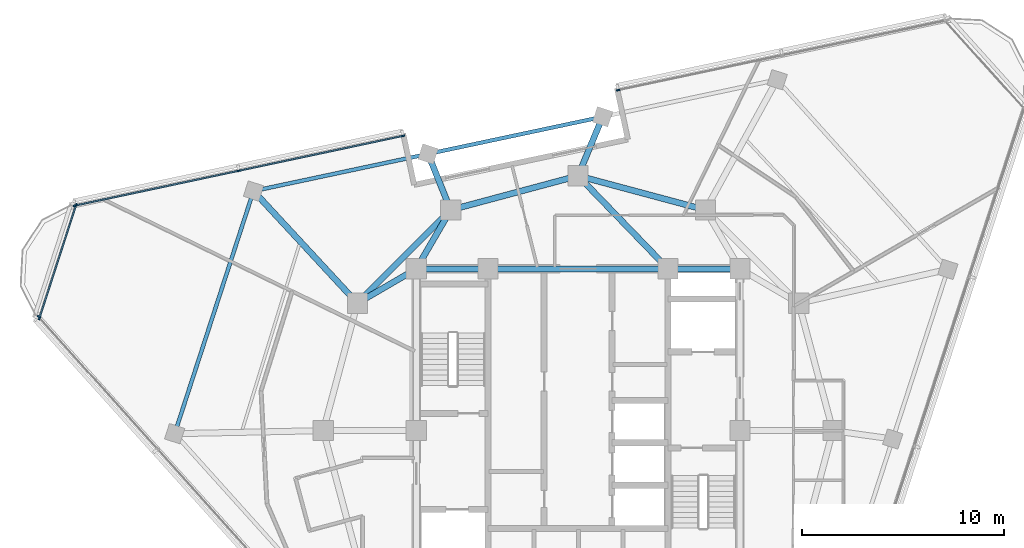
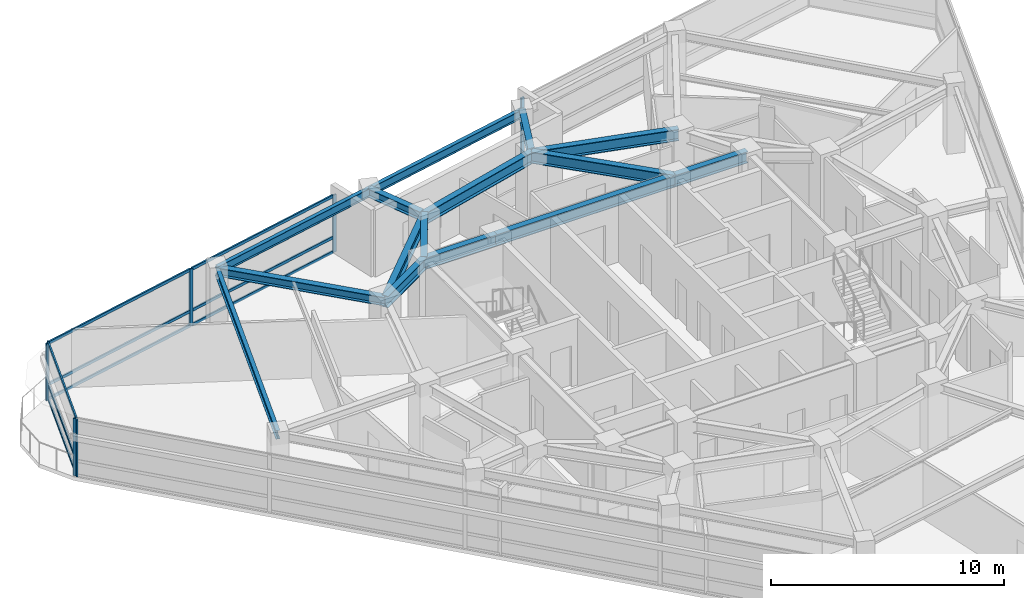
# One storey, part 5 of 15: 16 members, 15 beams, 4 elements without a shape of their own.
"""IFC4 building model written with IfcOpenShell, lengths in metres."""

from ifc_helpers import new_model, si_unit, direction, frame, origin, origin_2d, place, context, subcontext, project, spatial, rectangle, i_section, extrude, material, layer, layer_set, material_profile, profile_set, type_object, element, aggregate, save


model = new_model("IFC4")

# Units and contexts
model_context = context("Model", 3, precision=1e-05, world=origin(), true_north=direction((0.0, 1.0)))
body_context = subcontext(model_context, "Body", "Model", "MODEL_VIEW")
ifc_project = project(units=[si_unit("LENGTHUNIT", "METRE"), si_unit("AREAUNIT", "SQUARE_METRE"), si_unit("VOLUMEUNIT", "CUBIC_METRE"), si_unit("PLANEANGLEUNIT", "RADIAN"), si_unit("MASSUNIT", "GRAM", prefix="KILO")], contexts=[model_context])

# Site, building, storey
site_placement = place(None, origin())
site = spatial("IfcSite", under=ifc_project, at=site_placement, CompositionType="ELEMENT")
building_placement = place(site_placement, origin())
building = spatial("IfcBuilding", under=site, at=building_placement, Name="Terralouvre Media Tower", CompositionType="ELEMENT")
storey_placement = place(building_placement, frame((0.0, 0.0, 305.39990234375)))
storey = spatial("IfcBuildingStorey", under=building, at=storey_placement, Name="L79", CompositionType="ELEMENT", Elevation=305.39990234375)

# Curtain wall, members
ifc_material_1 = material(Name="Low-iron laminated double glazing with solar-control coating", Category="glass")
ifc_layer_1 = layer(ifc_material_1, 0.1650390625, Name="Faceted Glass-Point Crown Curtain Wall CW-06")
ifc_layer_set_1 = layer_set([ifc_layer_1], Name="Low-iron laminated double glazing with solar-control coating")
curtain_wall_type_1 = type_object("IfcCurtainWallType", Name="Faceted Glass-Point Crown Curtain Wall CW-06", PredefinedType="NOTDEFINED", material=ifc_layer_set_1)
curtain_wall_1_placement = place(storey_placement, origin())
curtain_wall_1 = element("IfcCurtainWall", 1, at=curtain_wall_1_placement, inside=storey, type_object=curtain_wall_type_1, Name="L79 Right Flank Curtain Wall F1", PredefinedType="NOTDEFINED")
ifc_material_2 = material(Name="Anodised extruded aluminium 6063-T6", Category="aluminium")
ifc_material_profile_1 = material_profile(ifc_material_2, rectangle(XDim=0.074951171875, YDim=0.14990234375, at=origin_2d()), Name="ALU 75x150")
ifc_profile_set_1 = profile_set([ifc_material_profile_1], Name="Anodised extruded aluminium 6063-T6")
member_type_1 = type_object("IfcMemberType", Name="Curtain-Wall Horizontal Transom TR-150", PredefinedType="USERDEFINED", material=ifc_profile_set_1)
member_1_placement = place(storey_placement, frame((-8.693603515625, 14.567138671875, 0.03759765625), z_axis=(-0.978148883033, -0.207905657984, 0.0), x_axis=(0.207905657984, -0.978148883033, 0.0)))
member_1 = element("IfcMember", 2, at=member_1_placement, type_object=member_type_1, Name="CW-06 transom 1.1", ObjectType="TRANSOM", PredefinedType="USERDEFINED", context=body_context, shape_type="SweptSolid", body=[
    extrude(rectangle(XDim=0.074951171875, YDim=0.14990234375, at=origin_2d()), origin(), (0.0, 0.0, 1.0), 8.217529296875),
])
member_2_placement = place(storey_placement, frame((-8.693603515625, 14.567138671875, 0.800048828125), z_axis=(-0.978148883033, -0.207905657984, 0.0), x_axis=(0.207905657984, -0.978148883033, 0.0)))
member_2 = element("IfcMember", 3, at=member_2_placement, type_object=member_type_1, Name="CW-06 transom 1.2", ObjectType="TRANSOM", PredefinedType="USERDEFINED", context=body_context, shape_type="SweptSolid", body=[
    extrude(rectangle(XDim=0.074951171875, YDim=0.14990234375, at=origin_2d()), origin(), (0.0, 0.0, 1.0), 8.217529296875),
])
member_3_placement = place(storey_placement, frame((-8.693603515625, 14.567138671875, 2.962646484375), z_axis=(-0.978148883033, -0.207905657984, 0.0), x_axis=(0.207905657984, -0.978148883033, 0.0)))
member_3 = element("IfcMember", 4, at=member_3_placement, type_object=member_type_1, Name="CW-06 transom 1.3", ObjectType="TRANSOM", PredefinedType="USERDEFINED", context=body_context, shape_type="SweptSolid", body=[
    extrude(rectangle(XDim=0.074951171875, YDim=0.14990234375, at=origin_2d()), origin(), (0.0, 0.0, 1.0), 8.217529296875),
])
member_4_placement = place(storey_placement, frame((-16.804931640625, 12.843017578125, 0.03759765625), z_axis=(-0.978147598799, -0.207911699918, 0.0), x_axis=(0.207911699918, -0.978147598799, 0.0)))
member_4 = element("IfcMember", 5, at=member_4_placement, type_object=member_type_1, Name="CW-06 transom 2.1", ObjectType="TRANSOM", PredefinedType="USERDEFINED", context=body_context, shape_type="SweptSolid", body=[
    extrude(rectangle(XDim=0.074951171875, YDim=0.14990234375, at=origin_2d()), origin(), (0.0, 0.0, 1.0), 8.217529296875),
])
member_5_placement = place(storey_placement, frame((-16.804931640625, 12.843017578125, 0.800048828125), z_axis=(-0.978147598799, -0.207911699918, 0.0), x_axis=(0.207911699918, -0.978147598799, 0.0)))
member_5 = element("IfcMember", 6, at=member_5_placement, type_object=member_type_1, Name="CW-06 transom 2.2", ObjectType="TRANSOM", PredefinedType="USERDEFINED", context=body_context, shape_type="SweptSolid", body=[
    extrude(rectangle(XDim=0.074951171875, YDim=0.14990234375, at=origin_2d()), origin(), (0.0, 0.0, 1.0), 8.217529296875),
])
member_6_placement = place(storey_placement, frame((-16.804931640625, 12.843017578125, 2.962646484375), z_axis=(-0.978147598799, -0.207911699918, 0.0), x_axis=(0.207911699918, -0.978147598799, 0.0)))
member_6 = element("IfcMember", 7, at=member_6_placement, type_object=member_type_1, Name="CW-06 transom 2.3", ObjectType="TRANSOM", PredefinedType="USERDEFINED", context=body_context, shape_type="SweptSolid", body=[
    extrude(rectangle(XDim=0.074951171875, YDim=0.14990234375, at=origin_2d()), origin(), (0.0, 0.0, 1.0), 8.217529296875),
])

ifc_material_3 = material(Name="Low-iron laminated double glazing with solar-control coating", Category="glass")
ifc_layer_2 = layer(ifc_material_3, 0.1650390625, Name="Rounded Wind-Corner Curved Glazing CW-04")
ifc_layer_set_2 = layer_set([ifc_layer_2], Name="Low-iron laminated double glazing with solar-control coating")
curtain_wall_type_2 = type_object("IfcCurtainWallType", Name="Rounded Wind-Corner Curved Glazing CW-04", PredefinedType="NOTDEFINED", material=ifc_layer_set_2)
curtain_wall_2_placement = place(storey_placement, origin())
curtain_wall_2 = element("IfcCurtainWall", 8, at=curtain_wall_2_placement, inside=storey, type_object=curtain_wall_type_2, Name="L79 Rounded Wind-Corner Curtain Wall C2", PredefinedType="NOTDEFINED")
member_7_placement = place(storey_placement, frame((-24.831298828125, 11.121826171875, 0.03759765625), z_axis=(-0.308980573489, -0.951068349387, 0.0), x_axis=(0.951068349387, -0.308980573489, 0.0)))
member_7 = element("IfcMember", 9, at=member_7_placement, type_object=member_type_1, Name="CW-04 transom 1.1", ObjectType="TRANSOM", PredefinedType="USERDEFINED", context=body_context, shape_type="SweptSolid", body=[
    extrude(rectangle(XDim=0.074951171875, YDim=0.14990234375, at=origin_2d()), origin(), (0.0, 0.0, 1.0), 5.808349609375),
])
member_8_placement = place(storey_placement, frame((-24.831298828125, 11.121826171875, 0.800048828125), z_axis=(-0.308980573489, -0.951068349387, 0.0), x_axis=(0.951068349387, -0.308980573489, 0.0)))
member_8 = element("IfcMember", 10, at=member_8_placement, type_object=member_type_1, Name="CW-04 transom 1.2", ObjectType="TRANSOM", PredefinedType="USERDEFINED", context=body_context, shape_type="SweptSolid", body=[
    extrude(rectangle(XDim=0.074951171875, YDim=0.14990234375, at=origin_2d()), origin(), (0.0, 0.0, 1.0), 5.808349609375),
])
member_9_placement = place(storey_placement, frame((-24.831298828125, 11.121826171875, 2.962646484375), z_axis=(-0.308980573489, -0.951068349387, 0.0), x_axis=(0.951068349387, -0.308980573489, 0.0)))
member_9 = element("IfcMember", 11, at=member_9_placement, type_object=member_type_1, Name="CW-04 transom 1.3", ObjectType="TRANSOM", PredefinedType="USERDEFINED", context=body_context, shape_type="SweptSolid", body=[
    extrude(rectangle(XDim=0.074951171875, YDim=0.14990234375, at=origin_2d()), origin(), (0.0, 0.0, 1.0), 5.808349609375),
])

# Curtain wall, member
curtain_wall_3_placement = place(storey_placement, origin())
curtain_wall_3 = element("IfcCurtainWall", 12, at=curtain_wall_3_placement, inside=storey, type_object=curtain_wall_type_1, Name="L79 Left Flank Curtain Wall F1", PredefinedType="NOTDEFINED")
ifc_material_4 = material(Name="Anodised extruded aluminium 6063-T6", Category="aluminium")
ifc_material_profile_2 = material_profile(ifc_material_4, rectangle(XDim=0.074951171875, YDim=0.179931640625, at=origin_2d()), Name="ALU 75x180")
ifc_profile_set_2 = profile_set([ifc_material_profile_2], Name="Anodised extruded aluminium 6063-T6")
member_type_2 = type_object("IfcMemberType", Name="Curtain-Wall Vertical Mullion ML-180", PredefinedType="MULLION", material=ifc_profile_set_2)
member_10_placement = place(storey_placement, frame((1.98046875, 16.8359375, 0.0), z_axis=(0.0, 0.0, 1.0), x_axis=(0.207911749648, -0.978147588229, 0.0)))
member_10 = element("IfcMember", 13, at=member_10_placement, type_object=member_type_2, Name="CW-06 mullion 3", PredefinedType="MULLION", context=body_context, shape_type="SweptSolid", body=[
    extrude(rectangle(XDim=0.074951171875, YDim=0.179931640625, at=origin_2d()), origin(), (0.0, 0.0, 1.0), 3.0),
])
aggregate(curtain_wall_3, [member_10])

# Member
member_11_placement = place(storey_placement, frame((-8.656982421875, 14.574951171875, 0.0), z_axis=(0.0, 0.0, 1.0), x_axis=(0.20791129743, -0.978147684351, 0.0)))
member_11 = element("IfcMember", 14, at=member_11_placement, type_object=member_type_2, Name="CW-06 mullion 1", PredefinedType="MULLION", context=body_context, shape_type="SweptSolid", body=[
    extrude(rectangle(XDim=0.074951171875, YDim=0.179931640625, at=origin_2d()), origin(), (0.0, 0.0, 1.0), 3.0),
])

member_12_placement = place(storey_placement, frame((-16.768310546875, 12.850830078125, 0.0), z_axis=(0.0, 0.0, 1.0), x_axis=(0.20791129743, -0.978147684351, 0.0)))
member_12 = element("IfcMember", 15, at=member_12_placement, type_object=member_type_2, Name="CW-06 mullion 2", PredefinedType="MULLION", context=body_context, shape_type="SweptSolid", body=[
    extrude(rectangle(XDim=0.074951171875, YDim=0.179931640625, at=origin_2d()), origin(), (0.0, 0.0, 1.0), 3.0),
])

member_13_placement = place(storey_placement, frame((-24.879638671875, 11.126708984375, 0.0), z_axis=(0.0, 0.0, 1.0), x_axis=(0.20791129743, -0.978147684351, 0.0)))
member_13 = element("IfcMember", 16, at=member_13_placement, type_object=member_type_2, Name="CW-06 mullion 3", PredefinedType="MULLION", context=body_context, shape_type="SweptSolid", body=[
    extrude(rectangle(XDim=0.074951171875, YDim=0.179931640625, at=origin_2d()), origin(), (0.0, 0.0, 1.0), 3.0),
])

aggregate(curtain_wall_1, [member_11, member_12, member_13, member_1, member_2, member_3, member_4, member_5, member_6])

# Curtain wall, member
curtain_wall_4_placement = place(storey_placement, origin())
curtain_wall_4 = element("IfcCurtainWall", 17, at=curtain_wall_4_placement, inside=storey, type_object=curtain_wall_type_1, Name="L79 Facade Curtain Wall F2", PredefinedType="NOTDEFINED")
member_14_placement = place(storey_placement, frame((-26.668212890625, 5.6220703125, 0.0), z_axis=(0.0, 0.0, 1.0), x_axis=(0.743144855036, 0.669130573531, 0.0)))
member_14 = element("IfcMember", 18, at=member_14_placement, type_object=member_type_2, Name="CW-06 mullion 1", PredefinedType="MULLION", context=body_context, shape_type="SweptSolid", body=[
    extrude(rectangle(XDim=0.074951171875, YDim=0.179931640625, at=origin_2d()), origin(), (0.0, 0.0, 1.0), 3.0),
])
aggregate(curtain_wall_4, [member_14])

# Member
member_15_placement = place(storey_placement, frame((-24.819580078125, 11.157470703125, 0.0), z_axis=(0.0, 0.0, 1.0), x_axis=(0.951056661679, -0.30901654693, 0.0)))
member_15 = element("IfcMember", 19, at=member_15_placement, type_object=member_type_2, Name="CW-04 mullion 1", PredefinedType="MULLION", context=body_context, shape_type="SweptSolid", body=[
    extrude(rectangle(XDim=0.074951171875, YDim=0.179931640625, at=origin_2d()), origin(), (0.0, 0.0, 1.0), 3.0),
])

member_16_placement = place(storey_placement, frame((-26.6376953125, 5.56201171875, 0.0), z_axis=(0.0, 0.0, 1.0), x_axis=(0.951056661679, -0.30901654693, 0.0)))
member_16 = element("IfcMember", 20, at=member_16_placement, type_object=member_type_2, Name="CW-04 mullion 2", PredefinedType="MULLION", context=body_context, shape_type="SweptSolid", body=[
    extrude(rectangle(XDim=0.074951171875, YDim=0.179931640625, at=origin_2d()), origin(), (0.0, 0.0, 1.0), 3.0),
])

aggregate(curtain_wall_2, [member_15, member_16, member_7, member_8, member_9])

# Beams
ifc_material_5 = material(Name="Structural steel S355J2", Category="steel")
ifc_material_profile_3 = material_profile(ifc_material_5, i_section(OverallWidth=0.18994140625, OverallDepth=0.449951171875, WebThickness=0.009521484375, FlangeThickness=0.0146484375, at=origin_2d()), Name="IPE 450")
ifc_profile_set_3 = profile_set([ifc_material_profile_3], Name="Structural steel S355J2")
beam_type_1 = type_object("IfcBeamType", Name="Perimeter Spandrel Beam SPB-450 (IPE 450)", PredefinedType="SPANDREL", material=ifc_profile_set_3)
for number, where, z_axis, x_axis, name in (
    (21, (1.212158203125, 15.517578125, 3.275146484375), (-0.97814485548, -0.207924605802, 0.0), (0.207924605802, -0.97814485548, 0.0), "L79 Framing Beam BM-L79-PR10"),
    (22, (-7.4189453125, 13.682861328125, 3.275146484375), (-0.97814485548, -0.207924605802, 0.0), (0.207924605802, -0.97814485548, 0.0), "L79 Framing Beam BM-L79-PR11"),
):
    element("IfcBeam", number, at=place(storey_placement, frame(where, z_axis=z_axis, x_axis=x_axis)), inside=storey, type_object=beam_type_1, Name=name, PredefinedType="SPANDREL", context=body_context, shape_type="SweptSolid", body=[
        extrude(i_section(OverallWidth=0.18994140625, OverallDepth=0.449951171875, WebThickness=0.009521484375, FlangeThickness=0.0146484375, at=origin_2d()), origin(), (0.0, 0.0, 1.0), 8.823974609375),
    ])
beam_1_placement = place(storey_placement, frame((-16.050048828125, 11.84814453125, 3.275146484375), z_axis=(-0.309020441102, -0.951055396379, 0.0), x_axis=(0.951055396379, -0.309020441102, 0.0)))
element("IfcBeam", 23, at=beam_1_placement, inside=storey, type_object=beam_type_1, Name="L79 Framing Beam BM-L79-PR12", PredefinedType="SPANDREL", context=body_context, shape_type="SweptSolid", body=[
    extrude(i_section(OverallWidth=0.18994140625, OverallDepth=0.449951171875, WebThickness=0.009521484375, FlangeThickness=0.0146484375, at=origin_2d()), origin(), (0.0, 0.0, 1.0), 12.616943359375),
])
ifc_material_6 = material(Name="Structural steel S355J2", Category="steel")
ifc_material_profile_4 = material_profile(ifc_material_6, i_section(OverallWidth=0.300048828125, OverallDepth=0.449951171875, WebThickness=0.013916015625, FlangeThickness=0.02587890625, at=origin_2d()), Name="HEB 450")
ifc_profile_set_4 = profile_set([ifc_material_profile_4], Name="Structural steel S355J2")
beam_type_2 = type_object("IfcBeamType", Name="Primary Floor Girder B-HEB450 (HEB 450)", PredefinedType="BEAM", material=ifc_profile_set_4)
beam_2_placement = place(storey_placement, frame((0.0, 12.60009765625, 3.275146484375), z_axis=(0.383682372078, 0.923465125143, 0.0), x_axis=(-0.923465125143, 0.383682372078, 0.0)))
element("IfcBeam", 24, at=beam_2_placement, inside=storey, type_object=beam_type_2, Name="L79 Framing Beam BM-L79-RD10", PredefinedType="BEAM", context=body_context, shape_type="SweptSolid", body=[
    extrude(i_section(OverallWidth=0.300048828125, OverallDepth=0.449951171875, WebThickness=0.013916015625, FlangeThickness=0.02587890625, at=origin_2d()), origin(), (0.0, 0.0, 1.0), 3.1591796875),
])
beam_3_placement = place(storey_placement, frame((-6.300048828125, 10.911865234375, 3.275146484375), z_axis=(-0.374417122208, 0.927260383386, 0.0), x_axis=(-0.927260383386, -0.374417122208, 0.0)))
element("IfcBeam", 25, at=beam_3_placement, inside=storey, type_object=beam_type_2, Name="L79 Framing Beam BM-L79-RD11", PredefinedType="BEAM", context=body_context, shape_type="SweptSolid", body=[
    extrude(i_section(OverallWidth=0.300048828125, OverallDepth=0.449951171875, WebThickness=0.013916015625, FlangeThickness=0.02587890625, at=origin_2d()), origin(), (0.0, 0.0, 1.0), 2.98828125),
])
beam_4_placement = place(storey_placement, frame((-10.911865234375, 6.300048828125, 3.275146484375), z_axis=(-0.679483353105, 0.733690924609, 0.0), x_axis=(-0.733690924609, -0.679483353105, 0.0)))
element("IfcBeam", 26, at=beam_4_placement, inside=storey, type_object=beam_type_2, Name="L79 Framing Beam BM-L79-RD12", PredefinedType="BEAM", context=body_context, shape_type="SweptSolid", body=[
    extrude(i_section(OverallWidth=0.300048828125, OverallDepth=0.449951171875, WebThickness=0.013916015625, FlangeThickness=0.02587890625, at=origin_2d()), origin(), (0.0, 0.0, 1.0), 7.56201171875),
])
ifc_material_7 = material(Name="Structural steel S460M", Category="steel")
ifc_material_profile_5 = material_profile(ifc_material_7, i_section(OverallWidth=0.300048828125, OverallDepth=0.60009765625, WebThickness=0.015380859375, FlangeThickness=0.030029296875, at=origin_2d()), Name="HEB 600")
ifc_profile_set_5 = profile_set([ifc_material_profile_5], Name="Structural steel S460M")
beam_type_3 = type_object("IfcBeamType", Name="Primary Floor Girder B-HEB600 (HEB 600)", PredefinedType="BEAM", material=ifc_profile_set_5)
beam_5_placement = place(storey_placement, frame((8.0, 8.0, 3.2001953125), z_axis=(-1.0, 0.0, 0.0), x_axis=(0.0, -1.0, 0.0)))
element("IfcBeam", 27, at=beam_5_placement, inside=storey, type_object=beam_type_3, Name="L79 Framing Beam BM-L79-CPR06", PredefinedType="BEAM", context=body_context, shape_type="SweptSolid", body=[
    extrude(i_section(OverallWidth=0.300048828125, OverallDepth=0.60009765625, WebThickness=0.015380859375, FlangeThickness=0.030029296875, at=origin_2d()), origin(), (0.0, 0.0, 1.0), 3.550048828125),
])
beam_6_placement = place(storey_placement, frame((4.449951171875, 8.0, 3.2001953125), z_axis=(-1.0, 0.0, 0.0), x_axis=(0.0, -1.0, 0.0)))
element("IfcBeam", 28, at=beam_6_placement, inside=storey, type_object=beam_type_3, Name="L79 Framing Beam BM-L79-CPR07", PredefinedType="BEAM", context=body_context, shape_type="SweptSolid", body=[
    extrude(i_section(OverallWidth=0.300048828125, OverallDepth=0.60009765625, WebThickness=0.015380859375, FlangeThickness=0.030029296875, at=origin_2d()), origin(), (0.0, 0.0, 1.0), 8.89990234375),
])
beam_7_placement = place(storey_placement, frame((-4.449951171875, 8.0, 3.2001953125), z_axis=(-1.0, 0.0, 0.0), x_axis=(0.0, -1.0, 0.0)))
element("IfcBeam", 29, at=beam_7_placement, inside=storey, type_object=beam_type_3, Name="L79 Framing Beam BM-L79-CPR08", PredefinedType="BEAM", context=body_context, shape_type="SweptSolid", body=[
    extrude(i_section(OverallWidth=0.300048828125, OverallDepth=0.60009765625, WebThickness=0.015380859375, FlangeThickness=0.030029296875, at=origin_2d()), origin(), (0.0, 0.0, 1.0), 3.550048828125),
])
for number, where, z_axis, x_axis, name in (
    (30, (6.300048828125, 10.911865234375, 3.2001953125), (-0.965920481897, 0.258838989821, 0.0), (-0.258838989821, -0.965920481897, 0.0), "L79 Framing Beam BM-L79-MR08"),
    (31, (0.0, 12.60009765625, 3.2001953125), (-0.965920481897, -0.258838989821, 0.0), (0.258838989821, -0.965920481897, 0.0), "L79 Framing Beam BM-L79-MR09"),
):
    element("IfcBeam", number, at=place(storey_placement, frame(where, z_axis=z_axis, x_axis=x_axis)), inside=storey, type_object=beam_type_3, Name=name, PredefinedType="BEAM", context=body_context, shape_type="SweptSolid", body=[
        extrude(i_section(OverallWidth=0.300048828125, OverallDepth=0.60009765625, WebThickness=0.015380859375, FlangeThickness=0.030029296875, at=origin_2d()), origin(), (0.0, 0.0, 1.0), 6.522216796875),
    ])
beam_8_placement = place(storey_placement, frame((-6.300048828125, 10.911865234375, 3.2001953125), z_axis=(-0.707106781187, -0.707106781187, 0.0), x_axis=(0.707106781187, -0.707106781187, 0.0)))
element("IfcBeam", 32, at=beam_8_placement, inside=storey, type_object=beam_type_3, Name="L79 Framing Beam BM-L79-MR10", PredefinedType="BEAM", context=body_context, shape_type="SweptSolid", body=[
    extrude(i_section(OverallWidth=0.300048828125, OverallDepth=0.60009765625, WebThickness=0.015380859375, FlangeThickness=0.030029296875, at=origin_2d()), origin(), (0.0, 0.0, 1.0), 6.52197265625),
])
beam_9_placement = place(storey_placement, frame((4.449951171875, 8.0, 3.2001953125), z_axis=(-0.695279715726, 0.718739255155, 0.0), x_axis=(-0.718739255155, -0.695279715726, 0.0)))
element("IfcBeam", 33, at=beam_9_placement, inside=storey, type_object=beam_type_3, Name="L79 Framing Beam BM-L79-CM09", PredefinedType="BEAM", context=body_context, shape_type="SweptSolid", body=[
    extrude(i_section(OverallWidth=0.300048828125, OverallDepth=0.60009765625, WebThickness=0.015380859375, FlangeThickness=0.030029296875, at=origin_2d()), origin(), (0.0, 0.0, 1.0), 6.400146484375),
])
for number, where, z_axis, x_axis, name in (
    (34, (-8.0, 8.0, 3.2001953125), (0.504172629717, 0.863602894532, 0.0), (-0.863602894532, 0.504172629717, 0.0), "L79 Framing Beam BM-L79-CM10"),
    (35, (-8.0, 8.0, 3.2001953125), (-0.863602894532, -0.504172629717, 0.0), (0.504172629717, -0.863602894532, 0.0), "L79 Framing Beam BM-L79-CM11"),
):
    element("IfcBeam", number, at=place(storey_placement, frame(where, z_axis=z_axis, x_axis=x_axis)), inside=storey, type_object=beam_type_3, Name=name, PredefinedType="BEAM", context=body_context, shape_type="SweptSolid", body=[
        extrude(i_section(OverallWidth=0.300048828125, OverallDepth=0.60009765625, WebThickness=0.015380859375, FlangeThickness=0.030029296875, at=origin_2d()), origin(), (0.0, 0.0, 1.0), 3.371826171875),
    ])

save(model, "model.ifc")
